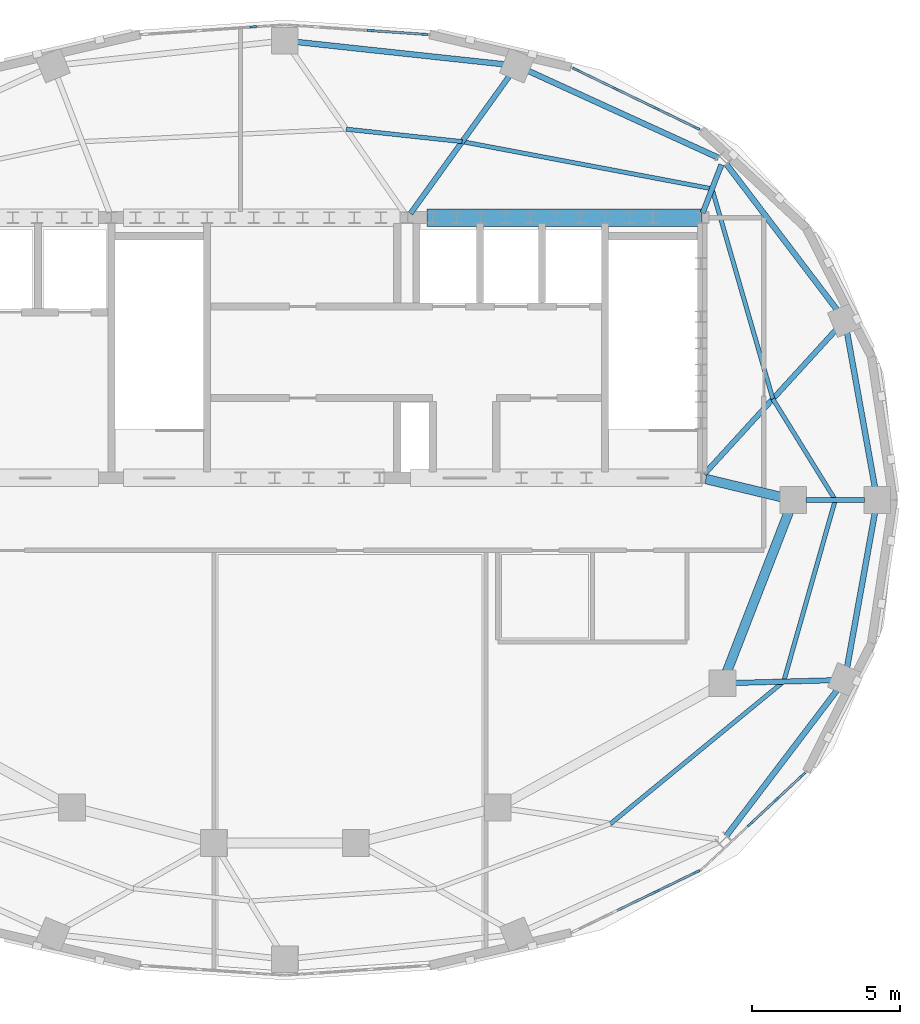
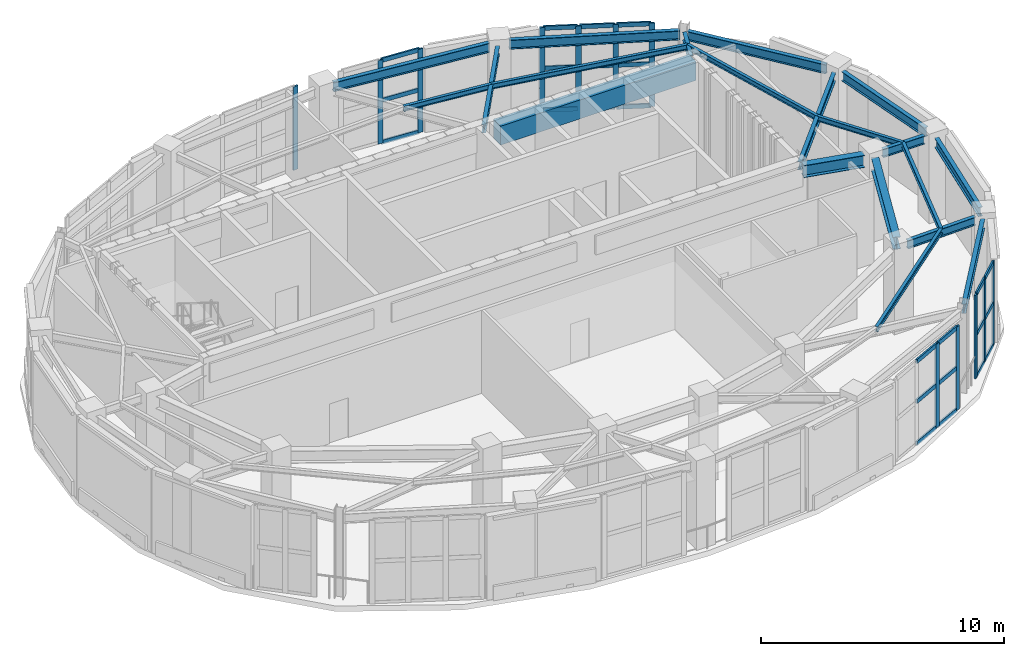
# One storey, part 4 of 10: 36 members, 20 beams, 5 elements without a shape of their own.
"""IFC4 building model written with IfcOpenShell, lengths in metres."""

from ifc_helpers import new_model, si_unit, direction, frame, origin, origin_2d, place, context, subcontext, project, spatial, rectangle, i_section, extrude, material, material_profile, profile_set, type_object, element, aggregate, save


model = new_model("IFC4")

# Units and contexts
model_context = context("Model", 3, precision=1e-05, world=origin(), true_north=direction((0.0, 1.0)))
body_context = subcontext(model_context, "Body", "Model", "MODEL_VIEW")
ifc_project = project(units=[si_unit("LENGTHUNIT", "METRE"), si_unit("AREAUNIT", "SQUARE_METRE"), si_unit("VOLUMEUNIT", "CUBIC_METRE"), si_unit("PLANEANGLEUNIT", "RADIAN"), si_unit("MASSUNIT", "GRAM", prefix="KILO")], contexts=[model_context])

# Site, building, storey
site_placement = place(None, origin())
site = spatial("IfcSite", under=ifc_project, at=site_placement, CompositionType="ELEMENT")
building_placement = place(site_placement, origin())
building = spatial("IfcBuilding", under=site, at=building_placement, Name="Haldorwick Loom Tower", CompositionType="ELEMENT")
storey_placement = place(building_placement, frame((0.0, 0.0, 296.0)))
storey = spatial("IfcBuildingStorey", under=building, at=storey_placement, Name="L79", CompositionType="ELEMENT", Elevation=296.0)

# Curtain wall, members
ifc_material_1 = material(Name="Thermally Broken Anodized Aluminium Curtain Wall Framing", Category="aluminium")
curtain_wall_type = type_object("IfcCurtainWallType", Name="ARC-CW-06", PredefinedType="NOTDEFINED", material=ifc_material_1)
curtain_wall_1_placement = place(storey_placement, origin())
curtain_wall_1 = element("IfcCurtainWall", 1, at=curtain_wall_1_placement, inside=storey, type_object=curtain_wall_type, Name="L79 Facade Curtain Wall CW-06 Bay 4", PredefinedType="NOTDEFINED")
ifc_material_profile_1 = material_profile(ifc_material_1, rectangle(XDim=0.077880859375, YDim=0.22998046875, at=origin_2d()), Name="ALU_MUL_78X230", Category="aluminium")
ifc_profile_set_1 = profile_set([ifc_material_profile_1], Name="Thermally Broken Anodized Aluminium Curtain Wall Framing")
member_type_1 = type_object("IfcMemberType", Name="ARC-CWM-06", PredefinedType="MULLION", material=ifc_profile_set_1)
member_1_placement = place(storey_placement, frame((49.92236328125, 38.583984375, 0.0), z_axis=(0.0, 0.0, 1.0), x_axis=(-0.435823894868, -0.900031962022, 0.0)))
member_1 = element("IfcMember", 2, at=member_1_placement, type_object=member_type_1, Name="CW-06 mullion 1", PredefinedType="MULLION", context=body_context, shape_type="SweptSolid", body=[
    extrude(rectangle(XDim=0.077880859375, YDim=0.22998046875, at=origin_2d()), origin(), (0.0, 0.0, 1.0), 4.199951171875),
])
member_2_placement = place(storey_placement, frame((48.57373046875, 39.237060546875, 0.0), z_axis=(0.0, 0.0, 1.0), x_axis=(-0.435823894868, -0.900031962022, 0.0)))
member_2 = element("IfcMember", 3, at=member_2_placement, type_object=member_type_1, Name="CW-06 mullion 2", PredefinedType="MULLION", context=body_context, shape_type="SweptSolid", body=[
    extrude(rectangle(XDim=0.077880859375, YDim=0.22998046875, at=origin_2d()), origin(), (0.0, 0.0, 1.0), 4.199951171875),
])
member_3_placement = place(storey_placement, frame((47.190185546875, 39.906982421875, 0.0), z_axis=(0.0, 0.0, 1.0), x_axis=(-0.435823894868, -0.900031962022, 0.0)))
member_3 = element("IfcMember", 4, at=member_3_placement, type_object=member_type_1, Name="CW-06 mullion 3", PredefinedType="MULLION", context=body_context, shape_type="SweptSolid", body=[
    extrude(rectangle(XDim=0.077880859375, YDim=0.22998046875, at=origin_2d()), origin(), (0.0, 0.0, 1.0), 4.199951171875),
])
member_4_placement = place(storey_placement, frame((45.841796875, 40.559814453125, 0.0), z_axis=(0.0, 0.0, 1.0), x_axis=(-0.435823894868, -0.900031962022, 0.0)))
member_4 = element("IfcMember", 5, at=member_4_placement, type_object=member_type_1, Name="CW-06 mullion 4", PredefinedType="MULLION", context=body_context, shape_type="SweptSolid", body=[
    extrude(rectangle(XDim=0.077880859375, YDim=0.22998046875, at=origin_2d()), origin(), (0.0, 0.0, 1.0), 4.199951171875),
])

curtain_wall_2_placement = place(storey_placement, origin())
curtain_wall_2 = element("IfcCurtainWall", 6, at=curtain_wall_2_placement, inside=storey, type_object=curtain_wall_type, Name="L79 Facade Curtain Wall CW-06 Bay 6", PredefinedType="NOTDEFINED")
member_5_placement = place(storey_placement, frame((40.719970703125, 41.7509765625, 0.0), z_axis=(0.0, 0.0, 1.0), x_axis=(-0.068469286639, -0.997653224716, 0.0)))
member_5 = element("IfcMember", 7, at=member_5_placement, type_object=member_type_1, Name="CW-06 mullion 1", PredefinedType="MULLION", context=body_context, shape_type="SweptSolid", body=[
    extrude(rectangle(XDim=0.077880859375, YDim=0.22998046875, at=origin_2d()), origin(), (0.0, 0.0, 1.0), 4.199951171875),
])
member_6_placement = place(storey_placement, frame((38.896728515625, 41.8759765625, 0.0), z_axis=(0.0, 0.0, 1.0), x_axis=(-0.068469286639, -0.997653224716, 0.0)))
member_6 = element("IfcMember", 8, at=member_6_placement, type_object=member_type_1, Name="CW-06 mullion 2", PredefinedType="MULLION", context=body_context, shape_type="SweptSolid", body=[
    extrude(rectangle(XDim=0.077880859375, YDim=0.22998046875, at=origin_2d()), origin(), (0.0, 0.0, 1.0), 4.199951171875),
])

# Curtain wall, member
curtain_wall_3_placement = place(storey_placement, origin())
curtain_wall_3 = element("IfcCurtainWall", 9, at=curtain_wall_3_placement, inside=storey, type_object=curtain_wall_type, Name="L79 Facade Curtain Wall CW-06 Bay 7", PredefinedType="NOTDEFINED")
member_7_placement = place(storey_placement, frame((34.926513671875, 42.001220703125, 0.0), z_axis=(0.0, 0.0, 1.0), x_axis=(0.068469286639, -0.997653224716, 0.0)))
member_7 = element("IfcMember", 10, at=member_7_placement, type_object=member_type_1, Name="CW-06 mullion 1", PredefinedType="MULLION", context=body_context, shape_type="SweptSolid", body=[
    extrude(rectangle(XDim=0.077880859375, YDim=0.22998046875, at=origin_2d()), origin(), (0.0, 0.0, 1.0), 4.199951171875),
])
aggregate(curtain_wall_3, [member_7])

# Curtain wall, members
curtain_wall_4_placement = place(storey_placement, origin())
curtain_wall_4 = element("IfcCurtainWall", 11, at=curtain_wall_4_placement, inside=storey, type_object=curtain_wall_type, Name="L79 Facade Curtain Wall CW-06 Bay 21", PredefinedType="NOTDEFINED")
member_8_placement = place(storey_placement, frame((48.57373046875, 12.762939453125, 0.0), z_axis=(0.0, 0.0, 1.0), x_axis=(-0.435823894868, 0.900031962022, 0.0)))
member_8 = element("IfcMember", 12, at=member_8_placement, type_object=member_type_1, Name="CW-06 mullion 3", PredefinedType="MULLION", context=body_context, shape_type="SweptSolid", body=[
    extrude(rectangle(XDim=0.077880859375, YDim=0.22998046875, at=origin_2d()), origin(), (0.0, 0.0, 1.0), 4.199951171875),
])
member_9_placement = place(storey_placement, frame((49.92236328125, 13.416015625, 0.0), z_axis=(0.0, 0.0, 1.0), x_axis=(-0.435823894868, 0.900031962022, 0.0)))
member_9 = element("IfcMember", 13, at=member_9_placement, type_object=member_type_1, Name="CW-06 mullion 4", PredefinedType="MULLION", context=body_context, shape_type="SweptSolid", body=[
    extrude(rectangle(XDim=0.077880859375, YDim=0.22998046875, at=origin_2d()), origin(), (0.0, 0.0, 1.0), 4.199951171875),
])

curtain_wall_5_placement = place(storey_placement, origin())
curtain_wall_5 = element("IfcCurtainWall", 14, at=curtain_wall_5_placement, inside=storey, type_object=curtain_wall_type, Name="L79 Facade Curtain Wall CW-06 Bay 22", PredefinedType="NOTDEFINED")
member_10_placement = place(storey_placement, frame((51.740478515625, 15.04150390625, 0.0), z_axis=(0.0, 0.0, 1.0), x_axis=(-0.682499327702, 0.730886220753, 0.0)))
member_10 = element("IfcMember", 15, at=member_10_placement, type_object=member_type_1, Name="CW-06 mullion 1", PredefinedType="MULLION", context=body_context, shape_type="SweptSolid", body=[
    extrude(rectangle(XDim=0.077880859375, YDim=0.22998046875, at=origin_2d()), origin(), (0.0, 0.0, 1.0), 4.199951171875),
])
member_11_placement = place(storey_placement, frame((52.625, 15.867431640625, 0.0), z_axis=(0.0, 0.0, 1.0), x_axis=(-0.682499327702, 0.730886220753, 0.0)))
member_11 = element("IfcMember", 16, at=member_11_placement, type_object=member_type_1, Name="CW-06 mullion 2", PredefinedType="MULLION", context=body_context, shape_type="SweptSolid", body=[
    extrude(rectangle(XDim=0.077880859375, YDim=0.22998046875, at=origin_2d()), origin(), (0.0, 0.0, 1.0), 4.199951171875),
])
member_12_placement = place(storey_placement, frame((53.509521484375, 16.693603515625, 0.0), z_axis=(0.0, 0.0, 1.0), x_axis=(-0.682499327702, 0.730886220753, 0.0)))
member_12 = element("IfcMember", 17, at=member_12_placement, type_object=member_type_1, Name="CW-06 mullion 3", PredefinedType="MULLION", context=body_context, shape_type="SweptSolid", body=[
    extrude(rectangle(XDim=0.077880859375, YDim=0.22998046875, at=origin_2d()), origin(), (0.0, 0.0, 1.0), 4.199951171875),
])

# Member
ifc_material_profile_2 = material_profile(ifc_material_1, rectangle(XDim=0.077880859375, YDim=0.2099609375, at=origin_2d()), Name="ALU_TRN_78X210", Category="aluminium")
ifc_profile_set_2 = profile_set([ifc_material_profile_2], Name="Thermally Broken Anodized Aluminium Curtain Wall Framing")
member_type_2 = type_object("IfcMemberType", Name="ARC-CWT-06", PredefinedType="USERDEFINED", material=ifc_profile_set_2)
member_13_placement = place(storey_placement, frame((49.88720703125, 38.60107421875, 0.0390625), z_axis=(-0.900061394309, 0.435763108207, 0.0), x_axis=(-0.435763108207, -0.900061394309, 0.0)))
member_13 = element("IfcMember", 18, at=member_13_placement, type_object=member_type_2, Name="CW-06 transom 1.1", ObjectType="TRANSOM", PredefinedType="USERDEFINED", context=body_context, shape_type="SweptSolid", body=[
    extrude(rectangle(XDim=0.077880859375, YDim=0.2099609375, at=origin_2d()), origin(), (0.0, 0.0, 1.0), 1.420166015625),
])

member_14_placement = place(storey_placement, frame((49.88720703125, 38.60107421875, 2.14990234375), z_axis=(-0.900061394309, 0.435763108207, 0.0), x_axis=(-0.435763108207, -0.900061394309, 0.0)))
member_14 = element("IfcMember", 19, at=member_14_placement, type_object=member_type_2, Name="CW-06 transom 1.2", ObjectType="TRANSOM", PredefinedType="USERDEFINED", context=body_context, shape_type="SweptSolid", body=[
    extrude(rectangle(XDim=0.077880859375, YDim=0.2099609375, at=origin_2d()), origin(), (0.0, 0.0, 1.0), 1.420166015625),
])

member_15_placement = place(storey_placement, frame((49.88720703125, 38.60107421875, 4.160888671875), z_axis=(-0.900061394309, 0.435763108207, 0.0), x_axis=(-0.435763108207, -0.900061394309, 0.0)))
member_15 = element("IfcMember", 20, at=member_15_placement, type_object=member_type_2, Name="CW-06 transom 1.3", ObjectType="TRANSOM", PredefinedType="USERDEFINED", context=body_context, shape_type="SweptSolid", body=[
    extrude(rectangle(XDim=0.077880859375, YDim=0.2099609375, at=origin_2d()), origin(), (0.0, 0.0, 1.0), 1.420166015625),
])

member_16_placement = place(storey_placement, frame((48.538818359375, 39.25390625, 0.0390625), z_axis=(-0.900042846839, 0.435801415616, 0.0), x_axis=(-0.435801415616, -0.900042846839, 0.0)))
member_16 = element("IfcMember", 21, at=member_16_placement, type_object=member_type_2, Name="CW-06 transom 2.1", ObjectType="TRANSOM", PredefinedType="USERDEFINED", context=body_context, shape_type="SweptSolid", body=[
    extrude(rectangle(XDim=0.077880859375, YDim=0.2099609375, at=origin_2d()), origin(), (0.0, 0.0, 1.0), 1.459228515625),
])

member_17_placement = place(storey_placement, frame((48.538818359375, 39.25390625, 2.14990234375), z_axis=(-0.900042846839, 0.435801415616, 0.0), x_axis=(-0.435801415616, -0.900042846839, 0.0)))
member_17 = element("IfcMember", 22, at=member_17_placement, type_object=member_type_2, Name="CW-06 transom 2.2", ObjectType="TRANSOM", PredefinedType="USERDEFINED", context=body_context, shape_type="SweptSolid", body=[
    extrude(rectangle(XDim=0.077880859375, YDim=0.2099609375, at=origin_2d()), origin(), (0.0, 0.0, 1.0), 1.459228515625),
])

member_18_placement = place(storey_placement, frame((48.538818359375, 39.25390625, 4.160888671875), z_axis=(-0.900042846839, 0.435801415616, 0.0), x_axis=(-0.435801415616, -0.900042846839, 0.0)))
member_18 = element("IfcMember", 23, at=member_18_placement, type_object=member_type_2, Name="CW-06 transom 2.3", ObjectType="TRANSOM", PredefinedType="USERDEFINED", context=body_context, shape_type="SweptSolid", body=[
    extrude(rectangle(XDim=0.077880859375, YDim=0.2099609375, at=origin_2d()), origin(), (0.0, 0.0, 1.0), 1.459228515625),
])

member_19_placement = place(storey_placement, frame((47.1552734375, 39.923828125, 0.0390625), z_axis=(-0.899993967604, 0.435902349474, 0.0), x_axis=(-0.435902349474, -0.899993967604, 0.0)))
member_19 = element("IfcMember", 24, at=member_19_placement, type_object=member_type_2, Name="CW-06 transom 3.1", ObjectType="TRANSOM", PredefinedType="USERDEFINED", context=body_context, shape_type="SweptSolid", body=[
    extrude(rectangle(XDim=0.077880859375, YDim=0.2099609375, at=origin_2d()), origin(), (0.0, 0.0, 1.0), 1.42041015625),
])

member_20_placement = place(storey_placement, frame((47.1552734375, 39.923828125, 2.14990234375), z_axis=(-0.899993967604, 0.435902349474, 0.0), x_axis=(-0.435902349474, -0.899993967604, 0.0)))
member_20 = element("IfcMember", 25, at=member_20_placement, type_object=member_type_2, Name="CW-06 transom 3.2", ObjectType="TRANSOM", PredefinedType="USERDEFINED", context=body_context, shape_type="SweptSolid", body=[
    extrude(rectangle(XDim=0.077880859375, YDim=0.2099609375, at=origin_2d()), origin(), (0.0, 0.0, 1.0), 1.42041015625),
])

member_21_placement = place(storey_placement, frame((47.1552734375, 39.923828125, 4.160888671875), z_axis=(-0.899993967604, 0.435902349474, 0.0), x_axis=(-0.435902349474, -0.899993967604, 0.0)))
member_21 = element("IfcMember", 26, at=member_21_placement, type_object=member_type_2, Name="CW-06 transom 3.3", ObjectType="TRANSOM", PredefinedType="USERDEFINED", context=body_context, shape_type="SweptSolid", body=[
    extrude(rectangle(XDim=0.077880859375, YDim=0.2099609375, at=origin_2d()), origin(), (0.0, 0.0, 1.0), 1.42041015625),
])

aggregate(curtain_wall_1, [member_1, member_2, member_3, member_4, member_13, member_14, member_15, member_16, member_17, member_18, member_19, member_20, member_21])

member_22_placement = place(storey_placement, frame((40.680908203125, 41.753662109375, 0.0390625), z_axis=(-0.997659305908, 0.068380621051, 0.0), x_axis=(-0.068380621051, -0.997659305908, 0.0)))
member_22 = element("IfcMember", 27, at=member_22_placement, type_object=member_type_2, Name="CW-06 transom 1.1", ObjectType="TRANSOM", PredefinedType="USERDEFINED", context=body_context, shape_type="SweptSolid", body=[
    extrude(rectangle(XDim=0.077880859375, YDim=0.2099609375, at=origin_2d()), origin(), (0.0, 0.0, 1.0), 1.74951171875),
])

member_23_placement = place(storey_placement, frame((40.680908203125, 41.753662109375, 2.14990234375), z_axis=(-0.997659305908, 0.068380621051, 0.0), x_axis=(-0.068380621051, -0.997659305908, 0.0)))
member_23 = element("IfcMember", 28, at=member_23_placement, type_object=member_type_2, Name="CW-06 transom 1.2", ObjectType="TRANSOM", PredefinedType="USERDEFINED", context=body_context, shape_type="SweptSolid", body=[
    extrude(rectangle(XDim=0.077880859375, YDim=0.2099609375, at=origin_2d()), origin(), (0.0, 0.0, 1.0), 1.74951171875),
])

member_24_placement = place(storey_placement, frame((40.680908203125, 41.753662109375, 4.160888671875), z_axis=(-0.997659305908, 0.068380621051, 0.0), x_axis=(-0.068380621051, -0.997659305908, 0.0)))
member_24 = element("IfcMember", 29, at=member_24_placement, type_object=member_type_2, Name="CW-06 transom 1.3", ObjectType="TRANSOM", PredefinedType="USERDEFINED", context=body_context, shape_type="SweptSolid", body=[
    extrude(rectangle(XDim=0.077880859375, YDim=0.2099609375, at=origin_2d()), origin(), (0.0, 0.0, 1.0), 1.74951171875),
])

aggregate(curtain_wall_2, [member_5, member_6, member_22, member_23, member_24])

member_25_placement = place(storey_placement, frame((47.225341796875, 12.110107421875, 0.0390625), z_axis=(0.900042846839, 0.435801415616, 0.0), x_axis=(-0.435801415616, 0.900042846839, 0.0)))
member_25 = element("IfcMember", 30, at=member_25_placement, type_object=member_type_2, Name="CW-06 transom 2.1", ObjectType="TRANSOM", PredefinedType="USERDEFINED", context=body_context, shape_type="SweptSolid", body=[
    extrude(rectangle(XDim=0.077880859375, YDim=0.2099609375, at=origin_2d()), origin(), (0.0, 0.0, 1.0), 1.459228515625),
])

member_26_placement = place(storey_placement, frame((47.225341796875, 12.110107421875, 2.14990234375), z_axis=(0.900042846839, 0.435801415616, 0.0), x_axis=(-0.435801415616, 0.900042846839, 0.0)))
member_26 = element("IfcMember", 31, at=member_26_placement, type_object=member_type_2, Name="CW-06 transom 2.2", ObjectType="TRANSOM", PredefinedType="USERDEFINED", context=body_context, shape_type="SweptSolid", body=[
    extrude(rectangle(XDim=0.077880859375, YDim=0.2099609375, at=origin_2d()), origin(), (0.0, 0.0, 1.0), 1.459228515625),
])

member_27_placement = place(storey_placement, frame((47.225341796875, 12.110107421875, 4.160888671875), z_axis=(0.900042846839, 0.435801415616, 0.0), x_axis=(-0.435801415616, 0.900042846839, 0.0)))
member_27 = element("IfcMember", 32, at=member_27_placement, type_object=member_type_2, Name="CW-06 transom 2.3", ObjectType="TRANSOM", PredefinedType="USERDEFINED", context=body_context, shape_type="SweptSolid", body=[
    extrude(rectangle(XDim=0.077880859375, YDim=0.2099609375, at=origin_2d()), origin(), (0.0, 0.0, 1.0), 1.459228515625),
])

member_28_placement = place(storey_placement, frame((48.60888671875, 12.780029296875, 0.0390625), z_axis=(0.900061394309, 0.435763108207, 0.0), x_axis=(-0.435763108207, 0.900061394309, 0.0)))
member_28 = element("IfcMember", 33, at=member_28_placement, type_object=member_type_2, Name="CW-06 transom 3.1", ObjectType="TRANSOM", PredefinedType="USERDEFINED", context=body_context, shape_type="SweptSolid", body=[
    extrude(rectangle(XDim=0.077880859375, YDim=0.2099609375, at=origin_2d()), origin(), (0.0, 0.0, 1.0), 1.420166015625),
])

member_29_placement = place(storey_placement, frame((48.60888671875, 12.780029296875, 2.14990234375), z_axis=(0.900061394309, 0.435763108207, 0.0), x_axis=(-0.435763108207, 0.900061394309, 0.0)))
member_29 = element("IfcMember", 34, at=member_29_placement, type_object=member_type_2, Name="CW-06 transom 3.2", ObjectType="TRANSOM", PredefinedType="USERDEFINED", context=body_context, shape_type="SweptSolid", body=[
    extrude(rectangle(XDim=0.077880859375, YDim=0.2099609375, at=origin_2d()), origin(), (0.0, 0.0, 1.0), 1.420166015625),
])

member_30_placement = place(storey_placement, frame((48.60888671875, 12.780029296875, 4.160888671875), z_axis=(0.900061394309, 0.435763108207, 0.0), x_axis=(-0.435763108207, 0.900061394309, 0.0)))
member_30 = element("IfcMember", 35, at=member_30_placement, type_object=member_type_2, Name="CW-06 transom 3.3", ObjectType="TRANSOM", PredefinedType="USERDEFINED", context=body_context, shape_type="SweptSolid", body=[
    extrude(rectangle(XDim=0.077880859375, YDim=0.2099609375, at=origin_2d()), origin(), (0.0, 0.0, 1.0), 1.420166015625),
])

aggregate(curtain_wall_4, [member_8, member_9, member_25, member_26, member_27, member_28, member_29, member_30])

member_31_placement = place(storey_placement, frame((51.768798828125, 15.068115234375, 0.0390625), z_axis=(0.730947705844, 0.68243347758, 0.0), x_axis=(-0.68243347758, 0.730947705844, 0.0)))
member_31 = element("IfcMember", 36, at=member_31_placement, type_object=member_type_2, Name="CW-06 transom 1.1", ObjectType="TRANSOM", PredefinedType="USERDEFINED", context=body_context, shape_type="SweptSolid", body=[
    extrude(rectangle(XDim=0.077880859375, YDim=0.2099609375, at=origin_2d()), origin(), (0.0, 0.0, 1.0), 1.13232421875),
])

member_32_placement = place(storey_placement, frame((51.768798828125, 15.068115234375, 2.14990234375), z_axis=(0.730947705844, 0.68243347758, 0.0), x_axis=(-0.68243347758, 0.730947705844, 0.0)))
member_32 = element("IfcMember", 37, at=member_32_placement, type_object=member_type_2, Name="CW-06 transom 1.2", ObjectType="TRANSOM", PredefinedType="USERDEFINED", context=body_context, shape_type="SweptSolid", body=[
    extrude(rectangle(XDim=0.077880859375, YDim=0.2099609375, at=origin_2d()), origin(), (0.0, 0.0, 1.0), 1.13232421875),
])

member_33_placement = place(storey_placement, frame((51.768798828125, 15.068115234375, 4.160888671875), z_axis=(0.730947705844, 0.68243347758, 0.0), x_axis=(-0.68243347758, 0.730947705844, 0.0)))
member_33 = element("IfcMember", 38, at=member_33_placement, type_object=member_type_2, Name="CW-06 transom 1.3", ObjectType="TRANSOM", PredefinedType="USERDEFINED", context=body_context, shape_type="SweptSolid", body=[
    extrude(rectangle(XDim=0.077880859375, YDim=0.2099609375, at=origin_2d()), origin(), (0.0, 0.0, 1.0), 1.13232421875),
])

member_34_placement = place(storey_placement, frame((52.653564453125, 15.89404296875, 0.0390625), z_axis=(0.730947705844, 0.68243347758, 0.0), x_axis=(-0.68243347758, 0.730947705844, 0.0)))
member_34 = element("IfcMember", 39, at=member_34_placement, type_object=member_type_2, Name="CW-06 transom 2.1", ObjectType="TRANSOM", PredefinedType="USERDEFINED", context=body_context, shape_type="SweptSolid", body=[
    extrude(rectangle(XDim=0.077880859375, YDim=0.2099609375, at=origin_2d()), origin(), (0.0, 0.0, 1.0), 1.13232421875),
])

member_35_placement = place(storey_placement, frame((52.653564453125, 15.89404296875, 2.14990234375), z_axis=(0.730947705844, 0.68243347758, 0.0), x_axis=(-0.68243347758, 0.730947705844, 0.0)))
member_35 = element("IfcMember", 40, at=member_35_placement, type_object=member_type_2, Name="CW-06 transom 2.2", ObjectType="TRANSOM", PredefinedType="USERDEFINED", context=body_context, shape_type="SweptSolid", body=[
    extrude(rectangle(XDim=0.077880859375, YDim=0.2099609375, at=origin_2d()), origin(), (0.0, 0.0, 1.0), 1.13232421875),
])

member_36_placement = place(storey_placement, frame((52.653564453125, 15.89404296875, 4.160888671875), z_axis=(0.730947705844, 0.68243347758, 0.0), x_axis=(-0.68243347758, 0.730947705844, 0.0)))
member_36 = element("IfcMember", 41, at=member_36_placement, type_object=member_type_2, Name="CW-06 transom 2.3", ObjectType="TRANSOM", PredefinedType="USERDEFINED", context=body_context, shape_type="SweptSolid", body=[
    extrude(rectangle(XDim=0.077880859375, YDim=0.2099609375, at=origin_2d()), origin(), (0.0, 0.0, 1.0), 1.13232421875),
])

aggregate(curtain_wall_5, [member_10, member_11, member_12, member_31, member_32, member_33, member_34, member_35, member_36])

# Beams
ifc_material_2 = material(Name="Concrete C50 (50 MPa)", Category="concrete")
ifc_material_profile_3 = material_profile(ifc_material_2, rectangle(XDim=0.60009765625, YDim=0.949951171875, at=origin_2d()), Name="RC600X950", Category="concrete")
ifc_profile_set_3 = profile_set([ifc_material_profile_3], Name="Concrete C50 (50 MPa)")
beam_type_1 = type_object("IfcBeamType", Name="STR-BM-CB950", PredefinedType="LINTEL", material=ifc_profile_set_3)
beam_1_placement = place(storey_placement, frame((40.800048828125, 35.550048828125, 3.72509765625), z_axis=(1.0, 0.0, 0.0), x_axis=(0.0, 1.0, 0.0)))
element("IfcBeam", 42, at=beam_1_placement, inside=storey, type_object=beam_type_1, Name="L79 Core Coupling Beam CB-N3", PredefinedType="LINTEL", context=body_context, shape_type="SweptSolid", body=[
    extrude(rectangle(XDim=0.60009765625, YDim=0.949951171875, at=origin_2d()), origin(), (0.0, 0.0, 1.0), 9.300048828125),
])
ifc_material_3 = material(Name="Steel CSA G40.21 350W", Category="steel")
ifc_material_profile_4 = material_profile(ifc_material_3, i_section(OverallWidth=0.14599609375, OverallDepth=0.258056640625, WebThickness=0.006103515625, FlangeThickness=0.009033203125, at=origin_2d()), Name="W250X33", Category="steel")
ifc_profile_set_4 = profile_set([ifc_material_profile_4], Name="Steel CSA G40.21 350W")
beam_type_2 = type_object("IfcBeamType", Name="STR-BM-J250", PredefinedType="JOIST", material=ifc_profile_set_4)
beam_2_placement = place(storey_placement, frame((54.61669921875, 26.0, 4.071044921875), z_axis=(-0.525703769437, 0.850667706452, 0.0), x_axis=(-0.850667706452, -0.525703769437, 0.0)))
element("IfcBeam", 43, at=beam_2_placement, inside=storey, type_object=beam_type_2, Name="L79 Mid-Bay Secondary Joist 1", PredefinedType="JOIST", context=body_context, shape_type="SweptSolid", body=[
    extrude(i_section(OverallWidth=0.14599609375, OverallDepth=0.258056640625, WebThickness=0.006103515625, FlangeThickness=0.009033203125, at=origin_2d()), origin(), (0.0, 0.0, 1.0), 4.01708984375),
])
beam_3_placement = place(storey_placement, frame((52.5048828125, 29.417236328125, 4.071044921875), z_axis=(-0.27798758119, 0.96058466816, 0.0), x_axis=(-0.96058466816, -0.27798758119, 0.0)))
element("IfcBeam", 44, at=beam_3_placement, inside=storey, type_object=beam_type_2, Name="L79 Mid-Bay Secondary Joist 2", PredefinedType="JOIST", context=body_context, shape_type="SweptSolid", body=[
    extrude(i_section(OverallWidth=0.14599609375, OverallDepth=0.258056640625, WebThickness=0.006103515625, FlangeThickness=0.009033203125, at=origin_2d()), origin(), (0.0, 0.0, 1.0), 7.400146484375),
])
beam_4_placement = place(storey_placement, frame((50.44775390625, 36.525634765625, 4.071044921875), z_axis=(-0.982664581525, 0.185392341308, 0.0), x_axis=(-0.185392341308, -0.982664581525, 0.0)))
element("IfcBeam", 45, at=beam_4_placement, inside=storey, type_object=beam_type_2, Name="L79 Mid-Bay Secondary Joist 3", PredefinedType="JOIST", context=body_context, shape_type="SweptSolid", body=[
    extrude(i_section(OverallWidth=0.14599609375, OverallDepth=0.258056640625, WebThickness=0.006103515625, FlangeThickness=0.009033203125, at=origin_2d()), origin(), (0.0, 0.0, 1.0), 8.599365234375),
])
beam_5_placement = place(storey_placement, frame((41.99755859375, 38.119873046875, 4.071044921875), z_axis=(-0.994246477225, 0.107116490451, 0.0), x_axis=(-0.107116490451, -0.994246477225, 0.0)))
element("IfcBeam", 46, at=beam_5_placement, inside=storey, type_object=beam_type_2, Name="L79 Mid-Bay Secondary Joist 4", PredefinedType="JOIST", context=body_context, shape_type="SweptSolid", body=[
    extrude(i_section(OverallWidth=0.14599609375, OverallDepth=0.258056640625, WebThickness=0.006103515625, FlangeThickness=0.009033203125, at=origin_2d()), origin(), (0.0, 0.0, 1.0), 3.9453125),
])
beam_6_placement = place(storey_placement, frame((47.0126953125, 15.04931640625, 4.071044921875), z_axis=(0.772901177017, 0.634526414396, 0.0), x_axis=(-0.634526414396, 0.772901177017, 0.0)))
element("IfcBeam", 47, at=beam_6_placement, inside=storey, type_object=beam_type_2, Name="L79 Mid-Bay Secondary Joist 15", PredefinedType="JOIST", context=body_context, shape_type="SweptSolid", body=[
    extrude(i_section(OverallWidth=0.14599609375, OverallDepth=0.258056640625, WebThickness=0.006103515625, FlangeThickness=0.009033203125, at=origin_2d()), origin(), (0.0, 0.0, 1.0), 7.577880859375),
])
beam_7_placement = place(storey_placement, frame((52.86962890625, 19.857666015625, 4.071044921875), z_axis=(0.273579780374, 0.961849314482, 0.0), x_axis=(-0.961849314482, 0.273579780374, 0.0)))
element("IfcBeam", 48, at=beam_7_placement, inside=storey, type_object=beam_type_2, Name="L79 Mid-Bay Secondary Joist 16", PredefinedType="JOIST", context=body_context, shape_type="SweptSolid", body=[
    extrude(i_section(OverallWidth=0.14599609375, OverallDepth=0.258056640625, WebThickness=0.006103515625, FlangeThickness=0.009033203125, at=origin_2d()), origin(), (0.0, 0.0, 1.0), 6.385986328125),
])
ifc_material_profile_5 = material_profile(ifc_material_3, i_section(OverallWidth=0.179931640625, OverallDepth=0.4130859375, WebThickness=0.009765625, FlangeThickness=0.01611328125, at=origin_2d()), Name="W410X74", Category="steel")
ifc_profile_set_5 = profile_set([ifc_material_profile_5], Name="Steel CSA G40.21 350W")
beam_type_3 = type_object("IfcBeamType", Name="STR-BM-J410", PredefinedType="JOIST", material=ifc_profile_set_5)
beam_8_placement = place(storey_placement, frame((53.625, 26.0, 3.993408203125), z_axis=(1.0, 0.0, 0.0), x_axis=(0.0, 1.0, 0.0)))
element("IfcBeam", 49, at=beam_8_placement, inside=storey, type_object=beam_type_3, Name="L79 Radial Floor Girder 1", PredefinedType="JOIST", context=body_context, shape_type="SweptSolid", body=[
    extrude(i_section(OverallWidth=0.179931640625, OverallDepth=0.4130859375, WebThickness=0.009765625, FlangeThickness=0.01611328125, at=origin_2d()), origin(), (0.0, 0.0, 1.0), 1.983642578125),
])
beam_9_placement = place(storey_placement, frame((50.185546875, 26.876708984375, 3.993408203125), z_axis=(0.67419160998, 0.738556479243, 0.0), x_axis=(-0.738556479243, 0.67419160998, 0.0)))
element("IfcBeam", 50, at=beam_9_placement, inside=storey, type_object=beam_type_3, Name="L79 Radial Floor Girder 2", PredefinedType="JOIST", context=body_context, shape_type="SweptSolid", body=[
    extrude(i_section(OverallWidth=0.179931640625, OverallDepth=0.4130859375, WebThickness=0.009765625, FlangeThickness=0.01611328125, at=origin_2d()), origin(), (0.0, 0.0, 1.0), 6.62646484375),
])
beam_10_placement = place(storey_placement, frame((50.1318359375, 35.7099609375, 3.993408203125), z_axis=(0.361166360631, 0.932501399435, 0.0), x_axis=(-0.932501399435, 0.361166360631, 0.0)))
element("IfcBeam", 51, at=beam_10_placement, inside=storey, type_object=beam_type_3, Name="L79 Radial Floor Girder 3", PredefinedType="JOIST", context=body_context, shape_type="SweptSolid", body=[
    extrude(i_section(OverallWidth=0.179931640625, OverallDepth=0.4130859375, WebThickness=0.009765625, FlangeThickness=0.01611328125, at=origin_2d()), origin(), (0.0, 0.0, 1.0), 1.74951171875),
])
beam_11_placement = place(storey_placement, frame((40.25, 35.689208984375, 3.993408203125), z_axis=(0.583744840056, 0.811937166109, 0.0), x_axis=(-0.811937166109, 0.583744840056, 0.0)))
element("IfcBeam", 52, at=beam_11_placement, inside=storey, type_object=beam_type_3, Name="L79 Radial Floor Girder 4", PredefinedType="JOIST", context=body_context, shape_type="SweptSolid", body=[
    extrude(i_section(OverallWidth=0.179931640625, OverallDepth=0.4130859375, WebThickness=0.009765625, FlangeThickness=0.01611328125, at=origin_2d()), origin(), (0.0, 0.0, 1.0), 5.733642578125),
])
beam_12_placement = place(storey_placement, frame((51.224853515625, 19.811767578125, 3.993408203125), z_axis=(0.999610923833, 0.02789266845, 0.0), x_axis=(-0.02789266845, 0.999610923833, 0.0)))
element("IfcBeam", 53, at=beam_12_placement, inside=storey, type_object=beam_type_3, Name="L79 Radial Floor Girder 16", PredefinedType="JOIST", context=body_context, shape_type="SweptSolid", body=[
    extrude(i_section(OverallWidth=0.179931640625, OverallDepth=0.4130859375, WebThickness=0.009765625, FlangeThickness=0.01611328125, at=origin_2d()), origin(), (0.0, 0.0, 1.0), 3.291015625),
])
ifc_material_profile_6 = material_profile(ifc_material_3, i_section(OverallWidth=0.193115234375, OverallDepth=0.466064453125, WebThickness=0.011474609375, FlangeThickness=0.01904296875, at=origin_2d()), Name="W460X97", Category="steel")
ifc_profile_set_6 = profile_set([ifc_material_profile_6], Name="Steel CSA G40.21 350W")
beam_type_4 = type_object("IfcBeamType", Name="STR-BM-SP460", PredefinedType="SPANDREL", material=ifc_profile_set_6)
beam_13_placement = place(storey_placement, frame((55.95849609375, 26.418212890625, 3.967041015625), z_axis=(-0.176999556218, 0.984210931202, 0.0), x_axis=(-0.984210931202, -0.176999556218, 0.0)))
element("IfcBeam", 54, at=beam_13_placement, inside=storey, type_object=beam_type_4, Name="L79 Perimeter Spandrel 1", PredefinedType="SPANDREL", context=body_context, shape_type="SweptSolid", body=[
    extrude(i_section(OverallWidth=0.193115234375, OverallDepth=0.466064453125, WebThickness=0.011474609375, FlangeThickness=0.01904296875, at=origin_2d()), origin(), (0.0, 0.0, 1.0), 5.33251953125),
])
beam_14_placement = place(storey_placement, frame((54.682373046875, 32.423095703125, 3.967041015625), z_axis=(-0.604848808079, 0.796340328858, 0.0), x_axis=(-0.796340328858, -0.604848808079, 0.0)))
element("IfcBeam", 55, at=beam_14_placement, inside=storey, type_object=beam_type_4, Name="L79 Perimeter Spandrel 2", PredefinedType="SPANDREL", context=body_context, shape_type="SweptSolid", body=[
    extrude(i_section(OverallWidth=0.193115234375, OverallDepth=0.466064453125, WebThickness=0.011474609375, FlangeThickness=0.01904296875, at=origin_2d()), origin(), (0.0, 0.0, 1.0), 6.205078125),
])
beam_15_placement = place(storey_placement, frame((50.66943359375, 37.572509765625, 3.967041015625), z_axis=(-0.909597043303, 0.415491538799, 0.0), x_axis=(-0.415491538799, -0.909597043303, 0.0)))
element("IfcBeam", 56, at=beam_15_placement, inside=storey, type_object=beam_type_4, Name="L79 Perimeter Spandrel 3", PredefinedType="SPANDREL", context=body_context, shape_type="SweptSolid", body=[
    extrude(i_section(OverallWidth=0.193115234375, OverallDepth=0.466064453125, WebThickness=0.011474609375, FlangeThickness=0.01904296875, at=origin_2d()), origin(), (0.0, 0.0, 1.0), 7.07763671875),
])
beam_16_placement = place(storey_placement, frame((43.42236328125, 40.735107421875, 3.967041015625), z_axis=(-0.994246141162, 0.107119609712, 0.0), x_axis=(-0.107119609712, -0.994246141162, 0.0)))
element("IfcBeam", 57, at=beam_16_placement, inside=storey, type_object=beam_type_4, Name="L79 Perimeter Spandrel 4", PredefinedType="SPANDREL", context=body_context, shape_type="SweptSolid", body=[
    extrude(i_section(OverallWidth=0.193115234375, OverallDepth=0.466064453125, WebThickness=0.011474609375, FlangeThickness=0.01904296875, at=origin_2d()), origin(), (0.0, 0.0, 1.0), 7.040283203125),
])
beam_17_placement = place(storey_placement, frame((50.92919921875, 14.635498046875, 3.967041015625), z_axis=(0.604848808079, 0.796340328858, 0.0), x_axis=(-0.796340328858, 0.604848808079, 0.0)))
element("IfcBeam", 58, at=beam_17_placement, inside=storey, type_object=beam_type_4, Name="L79 Perimeter Spandrel 15", PredefinedType="SPANDREL", context=body_context, shape_type="SweptSolid", body=[
    extrude(i_section(OverallWidth=0.193115234375, OverallDepth=0.466064453125, WebThickness=0.011474609375, FlangeThickness=0.01904296875, at=origin_2d()), origin(), (0.0, 0.0, 1.0), 6.205078125),
])
beam_18_placement = place(storey_placement, frame((55.0146484375, 20.33349609375, 3.967041015625), z_axis=(0.176999556218, 0.984210931202, 0.0), x_axis=(-0.984210931202, 0.176999556218, 0.0)))
element("IfcBeam", 59, at=beam_18_placement, inside=storey, type_object=beam_type_4, Name="L79 Perimeter Spandrel 16", PredefinedType="SPANDREL", context=body_context, shape_type="SweptSolid", body=[
    extrude(i_section(OverallWidth=0.193115234375, OverallDepth=0.466064453125, WebThickness=0.011474609375, FlangeThickness=0.01904296875, at=origin_2d()), origin(), (0.0, 0.0, 1.0), 5.33251953125),
])
ifc_material_profile_7 = material_profile(ifc_material_3, i_section(OverallWidth=0.324951171875, OverallDepth=0.615966796875, WebThickness=0.013916015625, FlangeThickness=0.021484375, at=origin_2d()), Name="W610X174", Category="steel")
ifc_profile_set_7 = profile_set([ifc_material_profile_7], Name="Steel CSA G40.21 350W")
beam_type_5 = type_object("IfcBeamType", Name="STR-BM-W610A", PredefinedType="BEAM", material=ifc_profile_set_7)
beam_19_placement = place(storey_placement, frame((50.23681640625, 26.7099609375, 3.89208984375), z_axis=(0.972483573168, -0.232971457302, 0.0), x_axis=(0.232971457302, 0.972483573168, 0.0)))
element("IfcBeam", 60, at=beam_19_placement, inside=storey, type_object=beam_type_5, Name="L79 Inner Ring Girder 1", PredefinedType="BEAM", context=body_context, shape_type="SweptSolid", body=[
    extrude(i_section(OverallWidth=0.324951171875, OverallDepth=0.615966796875, WebThickness=0.013916015625, FlangeThickness=0.021484375, at=origin_2d()), origin(), (0.0, 0.0, 1.0), 2.6220703125),
])
beam_20_placement = place(storey_placement, frame((53.046630859375, 25.603759765625, 3.89208984375), z_axis=(-0.361001189766, -0.932565354808, 0.0), x_axis=(0.932565354808, -0.361001189766, 0.0)))
element("IfcBeam", 61, at=beam_20_placement, inside=storey, type_object=beam_type_5, Name="L79 Inner Ring Girder 2", PredefinedType="BEAM", context=body_context, shape_type="SweptSolid", body=[
    extrude(i_section(OverallWidth=0.324951171875, OverallDepth=0.615966796875, WebThickness=0.013916015625, FlangeThickness=0.021484375, at=origin_2d()), origin(), (0.0, 0.0, 1.0), 5.798583984375),
])

save(model, "model.ifc")
